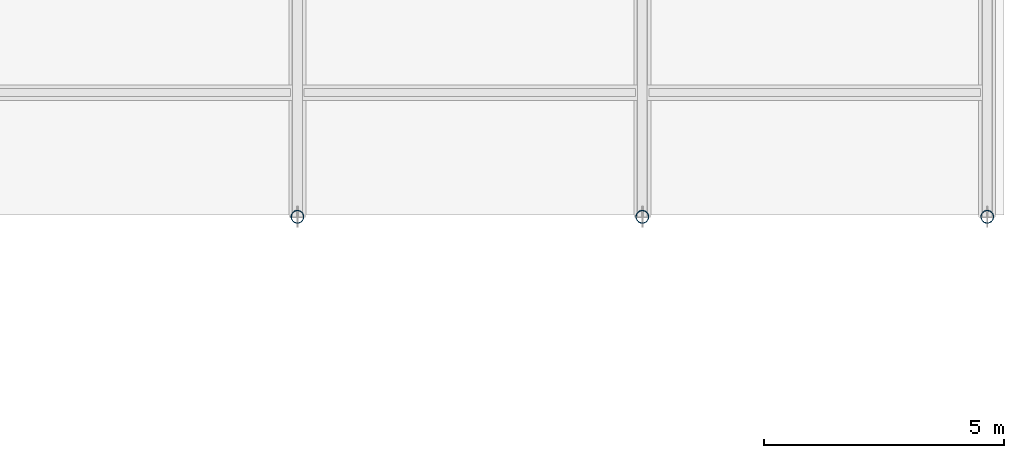
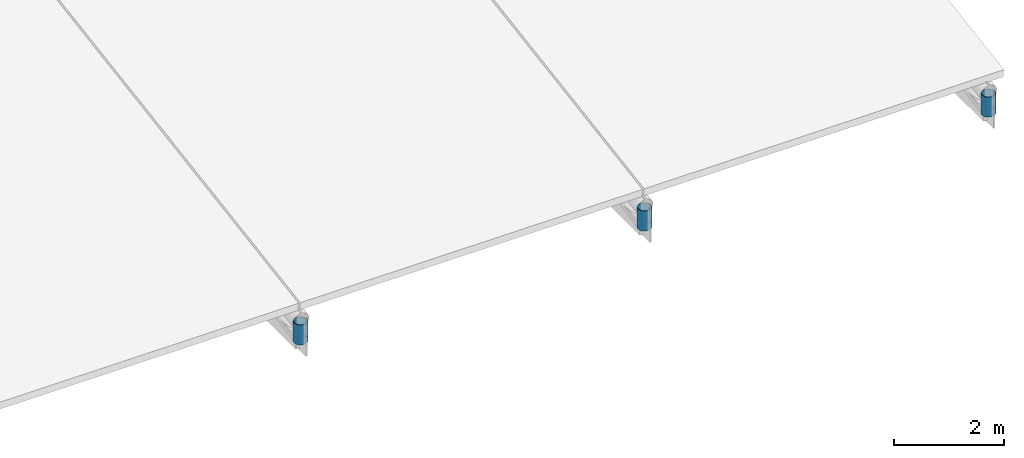
# One storey, part 56 of 72: 3 members.
"""IFC4 building model written with IfcOpenShell, lengths in metres."""

from ifc_helpers import new_model, si_unit, direction, frame, origin, origin_2d, place, context, subcontext, project, spatial, hollow_circle, extrude, material, material_profile, profile_set, type_object, element, save


model = new_model("IFC4")

# Units and contexts
model_context = context("Model", 3, precision=1e-05, world=origin(), true_north=direction((0.0, 1.0)))
body_context = subcontext(model_context, "Body", "Model", "MODEL_VIEW")
ifc_project = project(units=[si_unit("LENGTHUNIT", "METRE"), si_unit("AREAUNIT", "SQUARE_METRE"), si_unit("VOLUMEUNIT", "CUBIC_METRE"), si_unit("PLANEANGLEUNIT", "RADIAN"), si_unit("MASSUNIT", "GRAM", prefix="KILO")], contexts=[model_context])

# Site, building, storey
site_placement = place(None, origin())
site = spatial("IfcSite", under=ifc_project, at=site_placement, CompositionType="ELEMENT")
building_placement = place(site_placement, origin())
building = spatial("IfcBuilding", under=site, at=building_placement, Name="Vaelcorin Mobility Hub", CompositionType="ELEMENT")
storey_placement = place(building_placement, frame((0.0, 0.0, 25.800048828125)))
storey = spatial("IfcBuildingStorey", under=building, at=storey_placement, Name="RF", CompositionType="ELEMENT", Elevation=25.800048828125)

# Members
ifc_material = material(Name="Steel ASTM A500 Grade C", Category="steel")
ifc_material_profile = material_profile(ifc_material, hollow_circle(Radius=0.136474609375, WallThickness=0.0126953125, at=origin_2d()), Name="HSS10.750X0.500")
ifc_profile_set = profile_set([ifc_material_profile], Name="Steel ASTM A500 Grade C")
member_type = type_object("IfcMemberType", Name="SF-POST-10", PredefinedType="POST", material=ifc_profile_set)
for number, where, z_axis, x_axis, name in (
    (1, (138.0, 76.800048828125, -4.199951171875), (0.0, 0.0, 1.0), (1.0, 0.0, 0.0), "V2E Drum Roof Truss Post 3-0"),
    (2, (145.199951171875, 76.800048828125, -4.199951171875), (0.0, 0.0, 1.0), (1.0, 0.0, 0.0), "V2E Drum Roof Truss Post 4-0"),
    (3, (152.39990234375, 76.800048828125, -4.199951171875), (0.0, 0.0, 1.0), (1.0, 0.0, 0.0), "V2E Drum Roof Truss Post 5-0"),
):
    element("IfcMember", number, at=place(storey_placement, frame(where, z_axis=z_axis, x_axis=x_axis)), inside=storey, type_object=member_type, Name=name, PredefinedType="POST", context=body_context, shape_type="SweptSolid", body=[
        extrude(hollow_circle(Radius=0.136474609375, WallThickness=0.0126953125, at=origin_2d()), origin(), (0.0, 0.0, 1.0), 0.44384765625),
    ])

save(model, "model.ifc")
